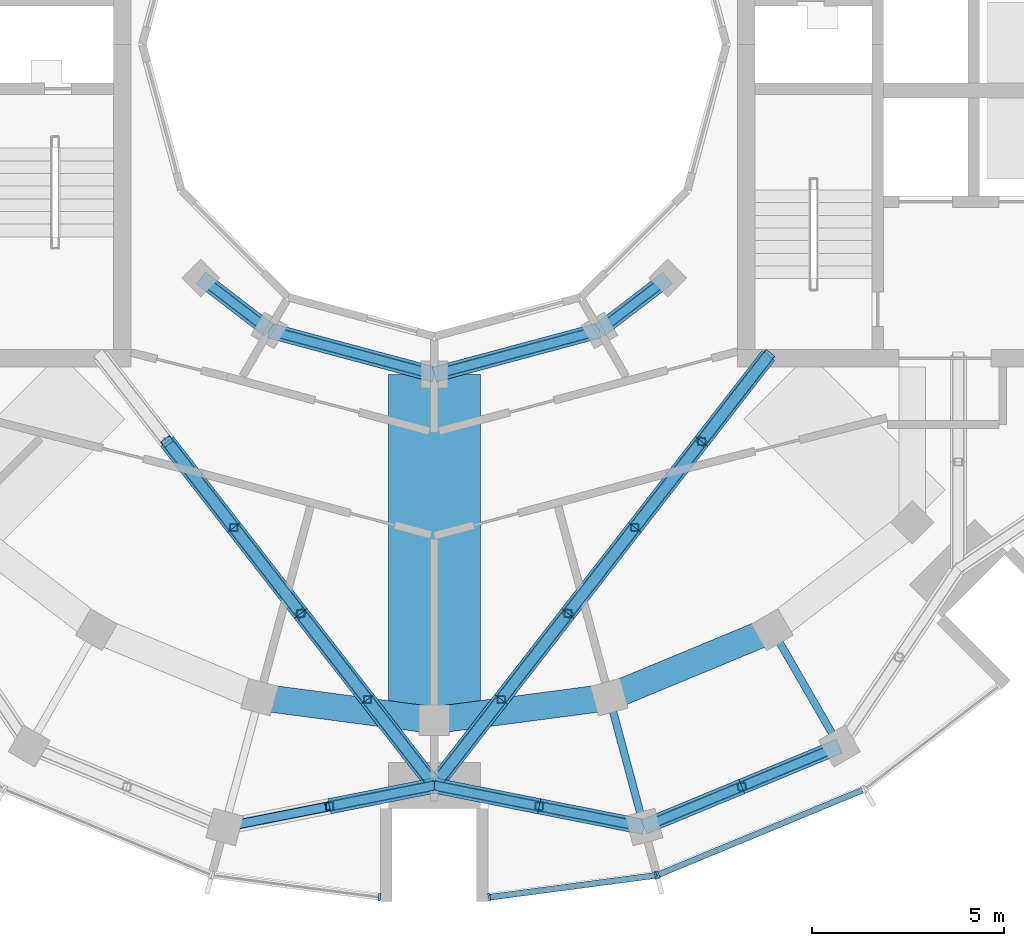
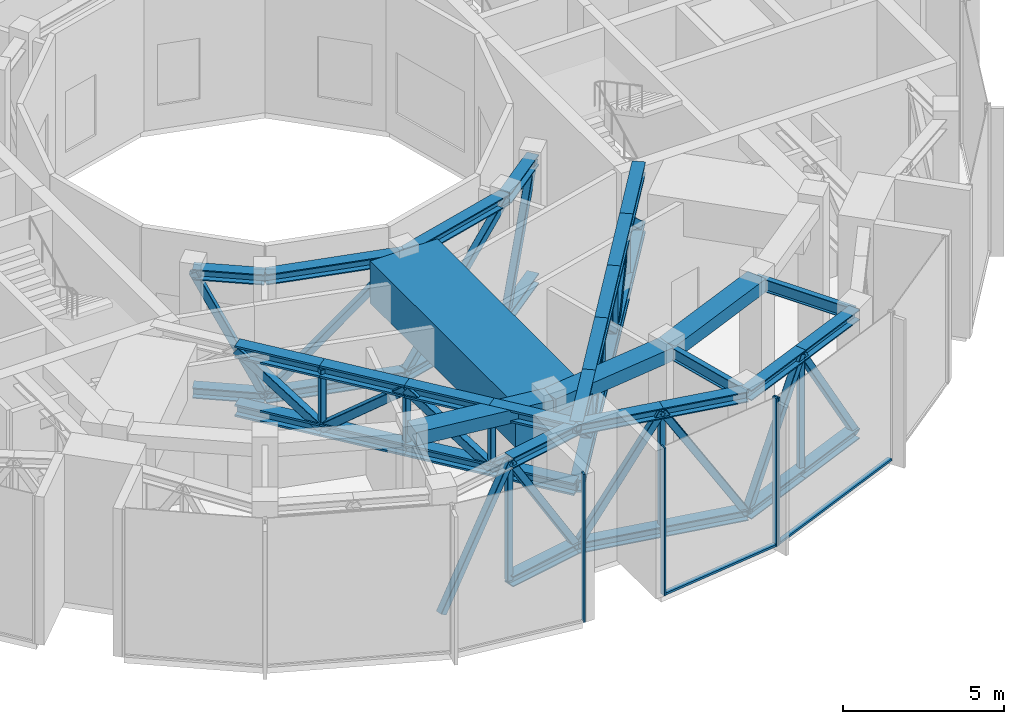
# One storey, part 3 of 17: 71 members, 6 beams, 3 elements without a shape of their own.
"""IFC4 building model written with IfcOpenShell, lengths in metres."""

from ifc_helpers import new_model, si_unit, direction, frame, origin, origin_2d, place, context, subcontext, project, spatial, rectangle, hollow_rectangle, i_section, extrude, material, layer, layer_set, material_profile, profile_set, type_object, element, aggregate, save


model = new_model("IFC4")

# Units and contexts
model_context = context("Model", 3, precision=1e-05, world=origin(), true_north=direction((0.0, 1.0)))
body_context = subcontext(model_context, "Body", "Model", "MODEL_VIEW")
ifc_project = project(units=[si_unit("LENGTHUNIT", "METRE"), si_unit("AREAUNIT", "SQUARE_METRE"), si_unit("VOLUMEUNIT", "CUBIC_METRE"), si_unit("PLANEANGLEUNIT", "RADIAN"), si_unit("MASSUNIT", "GRAM", prefix="KILO")], contexts=[model_context])

# Site, building, storey
site_placement = place(None, origin())
site = spatial("IfcSite", under=ifc_project, at=site_placement, CompositionType="ELEMENT")
building_placement = place(site_placement, origin())
building = spatial("IfcBuilding", under=site, at=building_placement, Name="Torre Brocal", CompositionType="ELEMENT")
storey_placement = place(building_placement, frame((0.0, 0.0, 309.300048828125)))
storey = spatial("IfcBuildingStorey", under=building, at=storey_placement, Name="L71", CompositionType="ELEMENT", Elevation=309.300048828125)

# Members
ifc_material_1 = material(Name="Steel A500 Grade C", Category="steel")
ifc_material_profile_1 = material_profile(ifc_material_1, hollow_rectangle(XDim=0.203125, YDim=0.203125, WallThickness=0.01171875, InnerFilletRadius=0.01171875, OuterFilletRadius=0.023681640625, at=origin_2d()), Name="HSS8X8X1/2")
ifc_profile_set_1 = profile_set([ifc_material_profile_1], Name="Steel A500 Grade C")
member_type_1 = type_object("IfcMemberType", Name="BELT 3 POST HSS8X8X1/2", PredefinedType="POST", material=ifc_profile_set_1)
for number, where, z_axis, x_axis, name in (
    (1, (77.26953125, 55.159423828125, 0.599365234375), (0.0, 0.0, 1.0), (1.0, 0.0, 0.0), "Member BT3-P14"),
    (2, (82.73046875, 55.159423828125, 0.599365234375), (0.0, 0.0, 1.0), (1.0, 0.0, 0.0), "Member BT3-P15"),
    (3, (88.005615234375, 55.6728515625, 0.599365234375), (0.0, 0.0, 1.0), (1.0, 0.0, 0.0), "Member BT3-P16"),
):
    element("IfcMember", number, at=place(storey_placement, frame(where, z_axis=z_axis, x_axis=x_axis)), inside=storey, type_object=member_type_1, Name=name, PredefinedType="POST", context=body_context, shape_type="SweptSolid", body=[
        extrude(hollow_rectangle(XDim=0.203125, YDim=0.203125, WallThickness=0.01171875, InnerFilletRadius=0.01171875, OuterFilletRadius=0.023681640625, at=origin_2d()), origin(), (0.0, 0.0, 1.0), 4.481201171875),
    ])

# Curtain wall, member
ifc_material_2 = material(Name="Aluminium and glass", Category="aluminium")
ifc_layer = layer(ifc_material_2, 0.199951171875)
ifc_layer_set = layer_set([ifc_layer], Name="Aluminium and glass")
curtain_wall_type = type_object("IfcCurtainWallType", Name="CW-1 CURTAIN WALL 5600 HIGH", PredefinedType="NOTDEFINED", material=ifc_layer_set)
curtain_wall_1_placement = place(storey_placement, origin())
curtain_wall_1 = element("IfcCurtainWall", 4, at=curtain_wall_1_placement, inside=storey, type_object=curtain_wall_type, Name="CW-1 RUN 18", PredefinedType="NOTDEFINED")
ifc_material_3 = material(Name="Aluminium, dark anodised", Category="aluminium")
ifc_material_profile_2 = material_profile(ifc_material_3, rectangle(XDim=0.199951171875, YDim=0.06005859375, at=origin_2d()), Name="CW-1 MULLION 60X200")
ifc_profile_set_2 = profile_set([ifc_material_profile_2], Name="Aluminium, dark anodised")
member_type_2 = type_object("IfcMemberType", Name="CW-1 MULLION 60X200", PredefinedType="MULLION", material=ifc_profile_set_2)
member_1_placement = place(storey_placement, frame((78.5703125, 52.7890625, 0.0), z_axis=(0.0, 0.0, 1.0), x_axis=(0.13052619222, 0.991444861374, 0.0)))
member_1 = element("IfcMember", 5, at=member_1_placement, type_object=member_type_2, Name="CW1-2 mullion 2", PredefinedType="MULLION", context=body_context, shape_type="SweptSolid", body=[
    extrude(rectangle(XDim=0.199951171875, YDim=0.06005859375, at=origin_2d()), origin(), (0.0, 0.0, 1.0), 5.599853515625),
])
aggregate(curtain_wall_1, [member_1])

# Curtain wall, members
curtain_wall_2_placement = place(storey_placement, origin())
curtain_wall_2 = element("IfcCurtainWall", 6, at=curtain_wall_2_placement, inside=storey, type_object=curtain_wall_type, Name="CW-1 RUN 19", PredefinedType="NOTDEFINED")
member_2_placement = place(storey_placement, frame((81.4296875, 52.7890625, 0.0), z_axis=(0.0, 0.0, 1.0), x_axis=(-0.13052619222, 0.991444861374, 0.0)))
member_2 = element("IfcMember", 7, at=member_2_placement, type_object=member_type_2, Name="CW1-2 mullion 1", PredefinedType="MULLION", context=body_context, shape_type="SweptSolid", body=[
    extrude(rectangle(XDim=0.199951171875, YDim=0.06005859375, at=origin_2d()), origin(), (0.0, 0.0, 1.0), 5.599853515625),
])
member_3_placement = place(storey_placement, frame((85.767578125, 53.360107421875, 0.0), z_axis=(0.0, 0.0, 1.0), x_axis=(-0.13052619222, 0.991444861374, 0.0)))
member_3 = element("IfcMember", 8, at=member_3_placement, type_object=member_type_2, Name="CW1-2 mullion 2", PredefinedType="MULLION", context=body_context, shape_type="SweptSolid", body=[
    extrude(rectangle(XDim=0.199951171875, YDim=0.06005859375, at=origin_2d()), origin(), (0.0, 0.0, 1.0), 5.599853515625),
])

# Curtain wall, member
curtain_wall_3_placement = place(storey_placement, origin())
curtain_wall_3 = element("IfcCurtainWall", 9, at=curtain_wall_3_placement, inside=storey, type_object=curtain_wall_type, Name="CW-1 RUN 20", PredefinedType="NOTDEFINED")
member_4_placement = place(storey_placement, frame((85.824951171875, 53.37548828125, 0.0), z_axis=(0.0, 0.0, 1.0), x_axis=(-0.382683432284, 0.923879532545, 0.0)))
member_4 = element("IfcMember", 10, at=member_4_placement, type_object=member_type_2, Name="CW1-2 mullion 1", PredefinedType="MULLION", context=body_context, shape_type="SweptSolid", body=[
    extrude(rectangle(XDim=0.199951171875, YDim=0.06005859375, at=origin_2d()), origin(), (0.0, 0.0, 1.0), 5.599853515625),
])

# Member
ifc_material_4 = material(Name="Aluminium, dark anodised", Category="aluminium")
ifc_material_profile_3 = material_profile(ifc_material_4, rectangle(XDim=0.159912109375, YDim=0.080078125, at=origin_2d()), Name="CW-1 TRANSOM 160X80")
ifc_profile_set_3 = profile_set([ifc_material_profile_3], Name="Aluminium, dark anodised")
member_type_3 = type_object("IfcMemberType", Name="CW-1 TRANSOM 160X80", PredefinedType="USERDEFINED", material=ifc_profile_set_3)
member_5_placement = place(storey_placement, frame((81.45947265625, 52.79296875, 0.0400390625), z_axis=(0.991445435136, 0.130521833991, 0.0), x_axis=(-0.130521833991, 0.991445435136, 0.0)))
member_5 = element("IfcMember", 11, at=member_5_placement, type_object=member_type_3, Name="CW1-2 transom 1.1", ObjectType="TRANSOM", PredefinedType="USERDEFINED", context=body_context, shape_type="SweptSolid", body=[
    extrude(rectangle(XDim=0.159912109375, YDim=0.080078125, at=origin_2d()), origin(), (0.0, 0.0, 1.0), 4.315185546875),
])

aggregate(curtain_wall_2, [member_2, member_3, member_5])

member_6_placement = place(storey_placement, frame((85.852783203125, 53.386962890625, 0.0400390625), z_axis=(0.923868236854, 0.382710701355, 0.0), x_axis=(-0.382710701355, 0.923868236854, 0.0)))
member_6 = element("IfcMember", 12, at=member_6_placement, type_object=member_type_3, Name="CW1-2 transom 1.1", ObjectType="TRANSOM", PredefinedType="USERDEFINED", context=body_context, shape_type="SweptSolid", body=[
    extrude(rectangle(XDim=0.159912109375, YDim=0.080078125, at=origin_2d()), origin(), (0.0, 0.0, 1.0), 5.727294921875),
])

aggregate(curtain_wall_3, [member_4, member_6])

# Members
ifc_material_5 = material(Name="Steel A500 Grade C", Category="steel")
ifc_material_profile_4 = material_profile(ifc_material_5, hollow_rectangle(XDim=0.203125, YDim=0.203125, WallThickness=0.01171875, InnerFilletRadius=0.01171875, OuterFilletRadius=0.023681640625, at=origin_2d()), Name="HSS8X8X1/2")
ifc_profile_set_4 = profile_set([ifc_material_profile_4], Name="Steel A500 Grade C")
member_type_4 = type_object("IfcMemberType", Name="OUTRIGGER 3 POST HSS8X8X1/2", PredefinedType="POST", material=ifc_profile_set_4)
for number, where, z_axis, x_axis, name in (
    (13, (86.9599609375, 64.659912109375, 2.832275390625), (0.0, 0.0, 1.0), (1.0, 0.0, 0.0), "Member OT3-P12"),
    (14, (85.219970703125, 62.419921875, 2.832275390625), (0.0, 0.0, 1.0), (1.0, 0.0, 0.0), "Member OT3-P13"),
    (15, (83.47998046875, 60.179931640625, 2.832275390625), (0.0, 0.0, 1.0), (1.0, 0.0, 0.0), "Member OT3-P14"),
    (16, (81.739990234375, 57.93994140625, 2.832275390625), (0.0, 0.0, 1.0), (1.0, 0.0, 0.0), "Member OT3-P15"),
    (17, (74.780029296875, 62.419921875, 2.832275390625), (0.0, 0.0, 1.0), (1.0, 0.0, 0.0), "Member OT3-P17"),
    (18, (76.52001953125, 60.179931640625, 2.832275390625), (0.0, 0.0, 1.0), (1.0, 0.0, 0.0), "Member OT3-P18"),
    (19, (78.260009765625, 57.93994140625, 2.832275390625), (0.0, 0.0, 1.0), (1.0, 0.0, 0.0), "Member OT3-P19"),
):
    element("IfcMember", number, at=place(storey_placement, frame(where, z_axis=z_axis, x_axis=x_axis)), inside=storey, type_object=member_type_4, Name=name, PredefinedType="POST", context=body_context, shape_type="SweptSolid", body=[
        extrude(hollow_rectangle(XDim=0.203125, YDim=0.203125, WallThickness=0.01171875, InnerFilletRadius=0.01171875, OuterFilletRadius=0.023681640625, at=origin_2d()), origin(), (0.0, 0.0, 1.0), 2.21533203125),
    ])

# Beams
ifc_material_6 = material(Name="Steel A992", Category="steel")
ifc_material_profile_5 = material_profile(ifc_material_6, i_section(OverallWidth=0.19287109375, OverallDepth=0.46728515625, WebThickness=0.011474609375, FlangeThickness=0.01904296875, at=origin_2d()), Name="W18X65")
ifc_profile_set_5 = profile_set([ifc_material_profile_5], Name="Steel A992")
beam_type_1 = type_object("IfcBeamType", Name="PLANT FLOOR BEAM TOP 5280 W18X65", PredefinedType="BEAM", material=ifc_profile_set_5)
for number, where, z_axis, x_axis, name in (
    (20, (84.55517578125, 57.999755859375, 5.046142578125), (0.258847652622, -0.965918160473, 0.0), (0.965918160473, 0.258847652622, 0.0), "Beam SF-03"),
    (21, (88.800048828125, 59.758056640625, 5.046142578125), (0.499980071345, -0.866036909293, 0.0), (0.866036909293, 0.499980071345, 0.0), "Beam SF-03"),
):
    element("IfcBeam", number, at=place(storey_placement, frame(where, z_axis=z_axis, x_axis=x_axis)), inside=storey, type_object=beam_type_1, Name=name, PredefinedType="BEAM", context=body_context, shape_type="SweptSolid", body=[
        extrude(i_section(OverallWidth=0.19287109375, OverallDepth=0.46728515625, WebThickness=0.011474609375, FlangeThickness=0.01904296875, at=origin_2d()), origin(), (0.0, 0.0, 1.0), 3.500244140625),
    ])
ifc_material_7 = material(Name="Concrete C50", Category="concrete")
ifc_material_profile_6 = material_profile(ifc_material_7, rectangle(XDim=0.699951171875, YDim=0.5, at=origin_2d()), Name="RC 700X500")
ifc_profile_set_6 = profile_set([ifc_material_profile_6], Name="Concrete C50")
beam_type_2 = type_object("IfcBeamType", Name="RC BEAM 700X500 C50 TOP 5280", PredefinedType="BEAM", material=ifc_profile_set_6)
for number, where, z_axis, x_axis, name in (
    (22, (75.44482421875, 57.999755859375, 5.030029296875), (0.991440544449, -0.130558978332, 0.0), (0.130558978332, 0.991440544449, 0.0), "Beam BT-36"),
    (23, (80.0, 57.39990234375, 5.030029296875), (0.991440544449, 0.130558978332, 0.0), (-0.130558978332, 0.991440544449, 0.0), "Beam BT-36"),
):
    element("IfcBeam", number, at=place(storey_placement, frame(where, z_axis=z_axis, x_axis=x_axis)), inside=storey, type_object=beam_type_2, Name=name, PredefinedType="BEAM", context=body_context, shape_type="SweptSolid", body=[
        extrude(rectangle(XDim=0.699951171875, YDim=0.5, at=origin_2d()), origin(), (0.0, 0.0, 1.0), 4.594482421875),
    ])
beam_1_placement = place(storey_placement, frame((84.55517578125, 57.999755859375, 5.030029296875), z_axis=(0.923878240166, 0.382686552348, 0.0), x_axis=(-0.382686552348, 0.923878240166, 0.0)))
element("IfcBeam", 24, at=beam_1_placement, inside=storey, type_object=beam_type_2, Name="Beam BT-36", PredefinedType="BEAM", context=body_context, shape_type="SweptSolid", body=[
    extrude(rectangle(XDim=0.699951171875, YDim=0.5, at=origin_2d()), origin(), (0.0, 0.0, 1.0), 4.5947265625),
])
ifc_material_8 = material(Name="Concrete C60", Category="concrete")
ifc_material_profile_7 = material_profile(ifc_material_8, rectangle(XDim=2.39990234375, YDim=1.60009765625, at=origin_2d()), Name="RC 2400X1600")
ifc_profile_set_7 = profile_set([ifc_material_profile_7], Name="Concrete C60")
beam_type_3 = type_object("IfcBeamType", Name="RC TRANSFER GIRDER 2400X1600 C60 TOP 5280", PredefinedType="BEAM", material=ifc_profile_set_7)
beam_2_placement = place(storey_placement, frame((80.0, 66.39990234375, 4.47998046875), z_axis=(0.0, -1.0, 0.0), x_axis=(1.0, 0.0, 0.0)))
element("IfcBeam", 25, at=beam_2_placement, inside=storey, type_object=beam_type_3, Name="Beam TG-10", PredefinedType="BEAM", context=body_context, shape_type="SweptSolid", body=[
    extrude(rectangle(XDim=2.39990234375, YDim=1.60009765625, at=origin_2d()), origin(), (0.0, 0.0, 1.0), 9.0),
])

# Members
ifc_material_9 = material(Name="Steel A992", Category="steel")
ifc_material_profile_8 = material_profile(ifc_material_9, i_section(OverallWidth=0.4013671875, OverallDepth=0.398681640625, WebThickness=0.02490234375, FlangeThickness=0.03955078125, at=origin_2d()), Name="W14X211")
ifc_profile_set_8 = profile_set([ifc_material_profile_8], Name="Steel A992")
member_type_5 = type_object("IfcMemberType", Name="TRUSS BOTTOM CHORD W14X211", PredefinedType="CHORD", material=ifc_profile_set_8)
for number, where, z_axis, x_axis, name in (
    (26, (77.26953125, 55.159423828125, 0.599365234375), (0.980963370691, 0.194192856108, 0.0), (-0.194192856108, 0.980963370691, 0.0), "Member BT3-C52"),
    (27, (80.0, 55.699951171875, 0.599365234375), (0.980963370691, -0.194192856108, 0.0), (0.194192856108, 0.980963370691, 0.0), "Member BT3-C54"),
):
    element("IfcMember", number, at=place(storey_placement, frame(where, z_axis=z_axis, x_axis=x_axis)), inside=storey, type_object=member_type_5, Name=name, PredefinedType="CHORD", context=body_context, shape_type="SweptSolid", body=[
        extrude(i_section(OverallWidth=0.4013671875, OverallDepth=0.398681640625, WebThickness=0.02490234375, FlangeThickness=0.03955078125, at=origin_2d()), origin(), (0.0, 0.0, 1.0), 2.783447265625),
    ])
member_7_placement = place(storey_placement, frame((82.73046875, 55.159423828125, 0.599365234375), z_axis=(0.980966677933, -0.194176148855, 0.0), x_axis=(0.194176148855, 0.980966677933, 0.0)))
element("IfcMember", 28, at=member_7_placement, inside=storey, type_object=member_type_5, Name="Member BT3-C56", PredefinedType="CHORD", context=body_context, shape_type="SweptSolid", body=[
    extrude(i_section(OverallWidth=0.4013671875, OverallDepth=0.398681640625, WebThickness=0.02490234375, FlangeThickness=0.03955078125, at=origin_2d()), origin(), (0.0, 0.0, 1.0), 2.78369140625),
])
for number, where, z_axis, x_axis, name in (
    (29, (85.461181640625, 54.618896484375, 0.599365234375), (0.923877456038, 0.382688445377, 0.0), (-0.382688445377, 0.923877456038, 0.0), "Member BT3-C58"),
    (30, (88.005615234375, 55.6728515625, 0.599365234375), (0.923877456038, 0.382688445377, 0.0), (-0.382688445377, 0.923877456038, 0.0), "Member BT3-C60"),
):
    element("IfcMember", number, at=place(storey_placement, frame(where, z_axis=z_axis, x_axis=x_axis)), inside=storey, type_object=member_type_5, Name=name, PredefinedType="CHORD", context=body_context, shape_type="SweptSolid", body=[
        extrude(i_section(OverallWidth=0.4013671875, OverallDepth=0.398681640625, WebThickness=0.02490234375, FlangeThickness=0.03955078125, at=origin_2d()), origin(), (0.0, 0.0, 1.0), 2.754150390625),
    ])
member_8_placement = place(storey_placement, frame((73.9189453125, 68.9189453125, 0.599365234375), z_axis=(0.793334976885, -0.608785359918, 0.0), x_axis=(0.608785359918, 0.793334976885, 0.0)))
element("IfcMember", 31, at=member_8_placement, inside=storey, type_object=member_type_5, Name="Member BT3-C82", PredefinedType="CHORD", context=body_context, shape_type="SweptSolid", body=[
    extrude(i_section(OverallWidth=0.4013671875, OverallDepth=0.398681640625, WebThickness=0.02490234375, FlangeThickness=0.03955078125, at=origin_2d()), origin(), (0.0, 0.0, 1.0), 2.244873046875),
])
for number, where, z_axis, x_axis, name in (
    (32, (75.699951171875, 67.55224609375, 0.599365234375), (0.965917450527, -0.25885030185, 0.0), (0.25885030185, 0.965917450527, 0.0), "Member BT3-C84"),
    (33, (80.0, 66.39990234375, 0.599365234375), (0.965917450527, 0.25885030185, 0.0), (-0.25885030185, 0.965917450527, 0.0), "Member BT3-C86"),
):
    element("IfcMember", number, at=place(storey_placement, frame(where, z_axis=z_axis, x_axis=x_axis)), inside=storey, type_object=member_type_5, Name=name, PredefinedType="CHORD", context=body_context, shape_type="SweptSolid", body=[
        extrude(i_section(OverallWidth=0.4013671875, OverallDepth=0.398681640625, WebThickness=0.02490234375, FlangeThickness=0.03955078125, at=origin_2d()), origin(), (0.0, 0.0, 1.0), 4.45166015625),
    ])
member_9_placement = place(storey_placement, frame((84.300048828125, 67.55224609375, 0.599365234375), z_axis=(0.793334976885, 0.608785359918, 0.0), x_axis=(-0.608785359918, 0.793334976885, 0.0)))
element("IfcMember", 34, at=member_9_placement, inside=storey, type_object=member_type_5, Name="Member BT3-C88", PredefinedType="CHORD", context=body_context, shape_type="SweptSolid", body=[
    extrude(i_section(OverallWidth=0.4013671875, OverallDepth=0.398681640625, WebThickness=0.02490234375, FlangeThickness=0.03955078125, at=origin_2d()), origin(), (0.0, 0.0, 1.0), 2.244873046875),
])
ifc_material_10 = material(Name="Steel A992", Category="steel")
ifc_material_profile_9 = material_profile(ifc_material_10, i_section(OverallWidth=0.421630859375, OverallDepth=0.46484375, WebThickness=0.044921875, FlangeThickness=0.072509765625, at=origin_2d()), Name="W14X398")
ifc_profile_set_9 = profile_set([ifc_material_profile_9], Name="Steel A992")
member_type_6 = type_object("IfcMemberType", Name="TRUSS BOTTOM CHORD W14X398", PredefinedType="CHORD", material=ifc_profile_set_9)
for number, where, z_axis, x_axis, name in (
    (35, (88.699951171875, 66.89990234375, 2.832275390625), (-0.613451858445, -0.789732117474, 0.0), (0.789732117474, -0.613451858445, 0.0), "Member OT3-C34"),
    (36, (86.9599609375, 64.659912109375, 2.832275390625), (-0.613451858445, -0.789732117474, 0.0), (0.789732117474, -0.613451858445, 0.0), "Member OT3-C36"),
    (37, (85.219970703125, 62.419921875, 2.832275390625), (-0.613451858445, -0.789732117474, 0.0), (0.789732117474, -0.613451858445, 0.0), "Member OT3-C38"),
    (38, (83.47998046875, 60.179931640625, 2.832275390625), (-0.613451858445, -0.789732117474, 0.0), (0.789732117474, -0.613451858445, 0.0), "Member OT3-C40"),
    (39, (81.739990234375, 57.93994140625, 2.832275390625), (-0.613451858445, -0.789732117474, 0.0), (0.789732117474, -0.613451858445, 0.0), "Member OT3-C42"),
    (40, (73.0400390625, 64.659912109375, 2.832275390625), (0.613451858445, -0.789732117474, 0.0), (0.789732117474, 0.613451858445, 0.0), "Member OT3-C46"),
    (41, (74.780029296875, 62.419921875, 2.832275390625), (0.613451858445, -0.789732117474, 0.0), (0.789732117474, 0.613451858445, 0.0), "Member OT3-C48"),
    (42, (76.52001953125, 60.179931640625, 2.832275390625), (0.613451858445, -0.789732117474, 0.0), (0.789732117474, 0.613451858445, 0.0), "Member OT3-C50"),
    (43, (78.260009765625, 57.93994140625, 2.832275390625), (0.613451858445, -0.789732117474, 0.0), (0.789732117474, 0.613451858445, 0.0), "Member OT3-C52"),
):
    element("IfcMember", number, at=place(storey_placement, frame(where, z_axis=z_axis, x_axis=x_axis)), inside=storey, type_object=member_type_6, Name=name, PredefinedType="CHORD", context=body_context, shape_type="SweptSolid", body=[
        extrude(i_section(OverallWidth=0.421630859375, OverallDepth=0.46484375, WebThickness=0.044921875, FlangeThickness=0.072509765625, at=origin_2d()), origin(), (0.0, 0.0, 1.0), 2.83642578125),
    ])
ifc_material_11 = material(Name="Steel A500 Grade C", Category="steel")
ifc_material_profile_10 = material_profile(ifc_material_11, hollow_rectangle(XDim=0.25390625, YDim=0.25390625, WallThickness=0.01171875, InnerFilletRadius=0.01171875, OuterFilletRadius=0.023681640625, at=origin_2d()), Name="HSS10X10X1/2")
ifc_profile_set_10 = profile_set([ifc_material_profile_10], Name="Steel A500 Grade C")
member_type_7 = type_object("IfcMemberType", Name="TRUSS DIAGONAL HSS10X10X1/2", PredefinedType="BRACE", material=ifc_profile_set_10)
for number, where, z_axis, x_axis, name in (
    (44, (74.538818359375, 54.618896484375, 0.599365234375), (0.517628820738, 0.102461350837, 0.849448100549), (-0.194176148855, 0.980966677933, 0.0), "Member BT3-D25"),
    (45, (77.26953125, 55.159423828125, 5.08056640625), (0.517594940614, 0.102463805304, -0.849468449122), (-0.194192856108, 0.980963370691, 0.0), "Member BT3-D26"),
    (46, (80.0, 55.699951171875, 0.599365234375), (0.517594940614, -0.102463805304, 0.849468449122), (0.194192856108, 0.980963370691, 0.0), "Member BT3-D27"),
    (47, (82.73046875, 55.159423828125, 5.08056640625), (0.517628820738, -0.102461350837, -0.849448100549), (0.194176148855, 0.980966677933, 0.0), "Member BT3-D28"),
):
    element("IfcMember", number, at=place(storey_placement, frame(where, z_axis=z_axis, x_axis=x_axis)), inside=storey, type_object=member_type_7, Name=name, PredefinedType="BRACE", context=body_context, shape_type="SweptSolid", body=[
        extrude(hollow_rectangle(XDim=0.25390625, YDim=0.25390625, WallThickness=0.01171875, InnerFilletRadius=0.01171875, OuterFilletRadius=0.023681640625, at=origin_2d()), origin(), (0.0, 0.0, 1.0), 5.275390625),
    ])
for number, where, z_axis, x_axis, name in (
    (48, (85.461181640625, 54.618896484375, 0.599365234375), (0.483745494743, 0.200377019843, 0.851962056804), (-0.382688445377, 0.923877456038, 0.0), "Member BT3-D29"),
    (49, (88.005615234375, 55.6728515625, 5.08056640625), (0.483745494743, 0.200377019843, -0.851962056804), (-0.382688445377, 0.923877456038, 0.0), "Member BT3-D30"),
):
    element("IfcMember", number, at=place(storey_placement, frame(where, z_axis=z_axis, x_axis=x_axis)), inside=storey, type_object=member_type_7, Name=name, PredefinedType="BRACE", context=body_context, shape_type="SweptSolid", body=[
        extrude(hollow_rectangle(XDim=0.25390625, YDim=0.25390625, WallThickness=0.01171875, InnerFilletRadius=0.01171875, OuterFilletRadius=0.023681640625, at=origin_2d()), origin(), (0.0, 0.0, 1.0), 5.259765625),
    ])
member_10_placement = place(storey_placement, frame((73.9189453125, 68.9189453125, 5.08056640625), z_axis=(0.355342192665, -0.272680684652, -0.894078950837), x_axis=(0.608785359918, 0.793334976885, 0.0)))
element("IfcMember", 50, at=member_10_placement, inside=storey, type_object=member_type_7, Name="Member BT3-D41", PredefinedType="BRACE", context=body_context, shape_type="SweptSolid", body=[
    extrude(hollow_rectangle(XDim=0.25390625, YDim=0.25390625, WallThickness=0.01171875, InnerFilletRadius=0.01171875, OuterFilletRadius=0.023681640625, at=origin_2d()), origin(), (0.0, 0.0, 1.0), 5.01220703125),
])
for number, where, z_axis, x_axis, name in (
    (51, (75.699951171875, 67.55224609375, 0.599365234375), (0.680753322076, -0.182430913541, 0.709432080094), (0.25885030185, 0.965917450527, 0.0), "Member BT3-D42"),
    (52, (80.0, 66.39990234375, 0.599365234375), (0.680753322076, 0.182430913541, 0.709432080094), (-0.25885030185, 0.965917450527, 0.0), "Member BT3-D43"),
):
    element("IfcMember", number, at=place(storey_placement, frame(where, z_axis=z_axis, x_axis=x_axis)), inside=storey, type_object=member_type_7, Name=name, PredefinedType="BRACE", context=body_context, shape_type="SweptSolid", body=[
        extrude(hollow_rectangle(XDim=0.25390625, YDim=0.25390625, WallThickness=0.01171875, InnerFilletRadius=0.01171875, OuterFilletRadius=0.023681640625, at=origin_2d()), origin(), (0.0, 0.0, 1.0), 6.316650390625),
    ])
member_11_placement = place(storey_placement, frame((84.300048828125, 67.55224609375, 0.599365234375), z_axis=(0.355342192665, 0.272680684652, 0.894078950837), x_axis=(-0.608785359918, 0.793334976885, 0.0)))
element("IfcMember", 53, at=member_11_placement, inside=storey, type_object=member_type_7, Name="Member BT3-D44", PredefinedType="BRACE", context=body_context, shape_type="SweptSolid", body=[
    extrude(hollow_rectangle(XDim=0.25390625, YDim=0.25390625, WallThickness=0.01171875, InnerFilletRadius=0.01171875, OuterFilletRadius=0.023681640625, at=origin_2d()), origin(), (0.0, 0.0, 1.0), 5.01220703125),
])
ifc_material_12 = material(Name="Steel A500 Grade C", Category="steel")
ifc_material_profile_11 = material_profile(ifc_material_12, hollow_rectangle(XDim=0.3046875, YDim=0.3046875, WallThickness=0.014892578125, InnerFilletRadius=0.014892578125, OuterFilletRadius=0.029541015625, at=origin_2d()), Name="HSS12X12X5/8")
ifc_profile_set_11 = profile_set([ifc_material_profile_11], Name="Steel A500 Grade C")
member_type_8 = type_object("IfcMemberType", Name="TRUSS DIAGONAL HSS12X12X5/8", PredefinedType="BRACE", material=ifc_profile_set_11)
for number, where, z_axis, x_axis, name in (
    (54, (88.699951171875, 66.89990234375, 2.832275390625), (-0.483464594084, -0.622391981299, 0.615540581832), (0.789732117474, -0.613451858445, 0.0), "Member OT3-D17"),
    (55, (86.9599609375, 64.659912109375, 5.047607421875), (-0.483464594084, -0.622391981299, -0.615540581832), (0.789732117474, -0.613451858445, 0.0), "Member OT3-D18"),
    (56, (85.219970703125, 62.419921875, 2.832275390625), (-0.483464594084, -0.622391981299, 0.615540581832), (0.789732117474, -0.613451858445, 0.0), "Member OT3-D19"),
    (57, (83.47998046875, 60.179931640625, 5.047607421875), (-0.483464594084, -0.622391981299, -0.615540581832), (0.789732117474, -0.613451858445, 0.0), "Member OT3-D20"),
    (58, (81.739990234375, 57.93994140625, 2.832275390625), (-0.483464594084, -0.622391981299, 0.615540581832), (0.789732117474, -0.613451858445, 0.0), "Member OT3-D21"),
    (59, (73.0400390625, 64.659912109375, 5.047607421875), (0.483464594084, -0.622391981299, -0.615540581832), (0.789732117474, 0.613451858445, 0.0), "Member OT3-D23"),
    (60, (74.780029296875, 62.419921875, 2.832275390625), (0.483464594084, -0.622391981299, 0.615540581832), (0.789732117474, 0.613451858445, 0.0), "Member OT3-D24"),
    (61, (76.52001953125, 60.179931640625, 5.047607421875), (0.483464594084, -0.622391981299, -0.615540581832), (0.789732117474, 0.613451858445, 0.0), "Member OT3-D25"),
    (62, (78.260009765625, 57.93994140625, 2.832275390625), (0.483464594084, -0.622391981299, 0.615540581832), (0.789732117474, 0.613451858445, 0.0), "Member OT3-D26"),
):
    element("IfcMember", number, at=place(storey_placement, frame(where, z_axis=z_axis, x_axis=x_axis)), inside=storey, type_object=member_type_8, Name=name, PredefinedType="BRACE", context=body_context, shape_type="SweptSolid", body=[
        extrude(hollow_rectangle(XDim=0.3046875, YDim=0.3046875, WallThickness=0.014892578125, InnerFilletRadius=0.014892578125, OuterFilletRadius=0.029541015625, at=origin_2d()), origin(), (0.0, 0.0, 1.0), 3.59912109375),
    ])
ifc_material_13 = material(Name="Steel A992", Category="steel")
ifc_material_profile_12 = material_profile(ifc_material_13, i_section(OverallWidth=0.4013671875, OverallDepth=0.398681640625, WebThickness=0.02490234375, FlangeThickness=0.03955078125, at=origin_2d()), Name="W14X211")
ifc_profile_set_12 = profile_set([ifc_material_profile_12], Name="Steel A992")
member_type_9 = type_object("IfcMemberType", Name="TRUSS TOP CHORD W14X211", PredefinedType="CHORD", material=ifc_profile_set_12)
for number, where, z_axis, x_axis, name in (
    (63, (77.26953125, 55.159423828125, 5.08056640625), (0.980963370691, 0.194192856108, 0.0), (-0.194192856108, 0.980963370691, 0.0), "Member BT3-C51"),
    (64, (80.0, 55.699951171875, 5.08056640625), (0.980963370691, -0.194192856108, 0.0), (0.194192856108, 0.980963370691, 0.0), "Member BT3-C53"),
):
    element("IfcMember", number, at=place(storey_placement, frame(where, z_axis=z_axis, x_axis=x_axis)), inside=storey, type_object=member_type_9, Name=name, PredefinedType="CHORD", context=body_context, shape_type="SweptSolid", body=[
        extrude(i_section(OverallWidth=0.4013671875, OverallDepth=0.398681640625, WebThickness=0.02490234375, FlangeThickness=0.03955078125, at=origin_2d()), origin(), (0.0, 0.0, 1.0), 2.783447265625),
    ])
member_12_placement = place(storey_placement, frame((82.73046875, 55.159423828125, 5.08056640625), z_axis=(0.980966677933, -0.194176148855, 0.0), x_axis=(0.194176148855, 0.980966677933, 0.0)))
element("IfcMember", 65, at=member_12_placement, inside=storey, type_object=member_type_9, Name="Member BT3-C55", PredefinedType="CHORD", context=body_context, shape_type="SweptSolid", body=[
    extrude(i_section(OverallWidth=0.4013671875, OverallDepth=0.398681640625, WebThickness=0.02490234375, FlangeThickness=0.03955078125, at=origin_2d()), origin(), (0.0, 0.0, 1.0), 2.78369140625),
])
for number, where, z_axis, x_axis, name in (
    (66, (85.461181640625, 54.618896484375, 5.08056640625), (0.923877456038, 0.382688445377, 0.0), (-0.382688445377, 0.923877456038, 0.0), "Member BT3-C57"),
    (67, (88.005615234375, 55.6728515625, 5.08056640625), (0.923877456038, 0.382688445377, 0.0), (-0.382688445377, 0.923877456038, 0.0), "Member BT3-C59"),
):
    element("IfcMember", number, at=place(storey_placement, frame(where, z_axis=z_axis, x_axis=x_axis)), inside=storey, type_object=member_type_9, Name=name, PredefinedType="CHORD", context=body_context, shape_type="SweptSolid", body=[
        extrude(i_section(OverallWidth=0.4013671875, OverallDepth=0.398681640625, WebThickness=0.02490234375, FlangeThickness=0.03955078125, at=origin_2d()), origin(), (0.0, 0.0, 1.0), 2.754150390625),
    ])
member_13_placement = place(storey_placement, frame((73.9189453125, 68.9189453125, 5.08056640625), z_axis=(0.793334976885, -0.608785359918, 0.0), x_axis=(0.608785359918, 0.793334976885, 0.0)))
element("IfcMember", 68, at=member_13_placement, inside=storey, type_object=member_type_9, Name="Member BT3-C81", PredefinedType="CHORD", context=body_context, shape_type="SweptSolid", body=[
    extrude(i_section(OverallWidth=0.4013671875, OverallDepth=0.398681640625, WebThickness=0.02490234375, FlangeThickness=0.03955078125, at=origin_2d()), origin(), (0.0, 0.0, 1.0), 2.244873046875),
])
for number, where, z_axis, x_axis, name in (
    (69, (75.699951171875, 67.55224609375, 5.08056640625), (0.965917450527, -0.25885030185, 0.0), (0.25885030185, 0.965917450527, 0.0), "Member BT3-C83"),
    (70, (80.0, 66.39990234375, 5.08056640625), (0.965917450527, 0.25885030185, 0.0), (-0.25885030185, 0.965917450527, 0.0), "Member BT3-C85"),
):
    element("IfcMember", number, at=place(storey_placement, frame(where, z_axis=z_axis, x_axis=x_axis)), inside=storey, type_object=member_type_9, Name=name, PredefinedType="CHORD", context=body_context, shape_type="SweptSolid", body=[
        extrude(i_section(OverallWidth=0.4013671875, OverallDepth=0.398681640625, WebThickness=0.02490234375, FlangeThickness=0.03955078125, at=origin_2d()), origin(), (0.0, 0.0, 1.0), 4.45166015625),
    ])
member_14_placement = place(storey_placement, frame((84.300048828125, 67.55224609375, 5.08056640625), z_axis=(0.793334976885, 0.608785359918, 0.0), x_axis=(-0.608785359918, 0.793334976885, 0.0)))
element("IfcMember", 71, at=member_14_placement, inside=storey, type_object=member_type_9, Name="Member BT3-C87", PredefinedType="CHORD", context=body_context, shape_type="SweptSolid", body=[
    extrude(i_section(OverallWidth=0.4013671875, OverallDepth=0.398681640625, WebThickness=0.02490234375, FlangeThickness=0.03955078125, at=origin_2d()), origin(), (0.0, 0.0, 1.0), 2.244873046875),
])
ifc_material_14 = material(Name="Steel A992", Category="steel")
ifc_material_profile_13 = material_profile(ifc_material_14, i_section(OverallWidth=0.421630859375, OverallDepth=0.46484375, WebThickness=0.044921875, FlangeThickness=0.072509765625, at=origin_2d()), Name="W14X398")
ifc_profile_set_13 = profile_set([ifc_material_profile_13], Name="Steel A992")
member_type_10 = type_object("IfcMemberType", Name="TRUSS TOP CHORD W14X398", PredefinedType="CHORD", material=ifc_profile_set_13)
for number, where, z_axis, x_axis, name in (
    (72, (88.699951171875, 66.89990234375, 5.047607421875), (-0.613451858445, -0.789732117474, 0.0), (0.789732117474, -0.613451858445, 0.0), "Member OT3-C33"),
    (73, (86.9599609375, 64.659912109375, 5.047607421875), (-0.613451858445, -0.789732117474, 0.0), (0.789732117474, -0.613451858445, 0.0), "Member OT3-C35"),
    (74, (85.219970703125, 62.419921875, 5.047607421875), (-0.613451858445, -0.789732117474, 0.0), (0.789732117474, -0.613451858445, 0.0), "Member OT3-C37"),
    (75, (83.47998046875, 60.179931640625, 5.047607421875), (-0.613451858445, -0.789732117474, 0.0), (0.789732117474, -0.613451858445, 0.0), "Member OT3-C39"),
    (76, (81.739990234375, 57.93994140625, 5.047607421875), (-0.613451858445, -0.789732117474, 0.0), (0.789732117474, -0.613451858445, 0.0), "Member OT3-C41"),
    (77, (73.0400390625, 64.659912109375, 5.047607421875), (0.613451858445, -0.789732117474, 0.0), (0.789732117474, 0.613451858445, 0.0), "Member OT3-C45"),
    (78, (74.780029296875, 62.419921875, 5.047607421875), (0.613451858445, -0.789732117474, 0.0), (0.789732117474, 0.613451858445, 0.0), "Member OT3-C47"),
    (79, (76.52001953125, 60.179931640625, 5.047607421875), (0.613451858445, -0.789732117474, 0.0), (0.789732117474, 0.613451858445, 0.0), "Member OT3-C49"),
    (80, (78.260009765625, 57.93994140625, 5.047607421875), (0.613451858445, -0.789732117474, 0.0), (0.789732117474, 0.613451858445, 0.0), "Member OT3-C51"),
):
    element("IfcMember", number, at=place(storey_placement, frame(where, z_axis=z_axis, x_axis=x_axis)), inside=storey, type_object=member_type_10, Name=name, PredefinedType="CHORD", context=body_context, shape_type="SweptSolid", body=[
        extrude(i_section(OverallWidth=0.421630859375, OverallDepth=0.46484375, WebThickness=0.044921875, FlangeThickness=0.072509765625, at=origin_2d()), origin(), (0.0, 0.0, 1.0), 2.83642578125),
    ])

save(model, "model.ifc")
